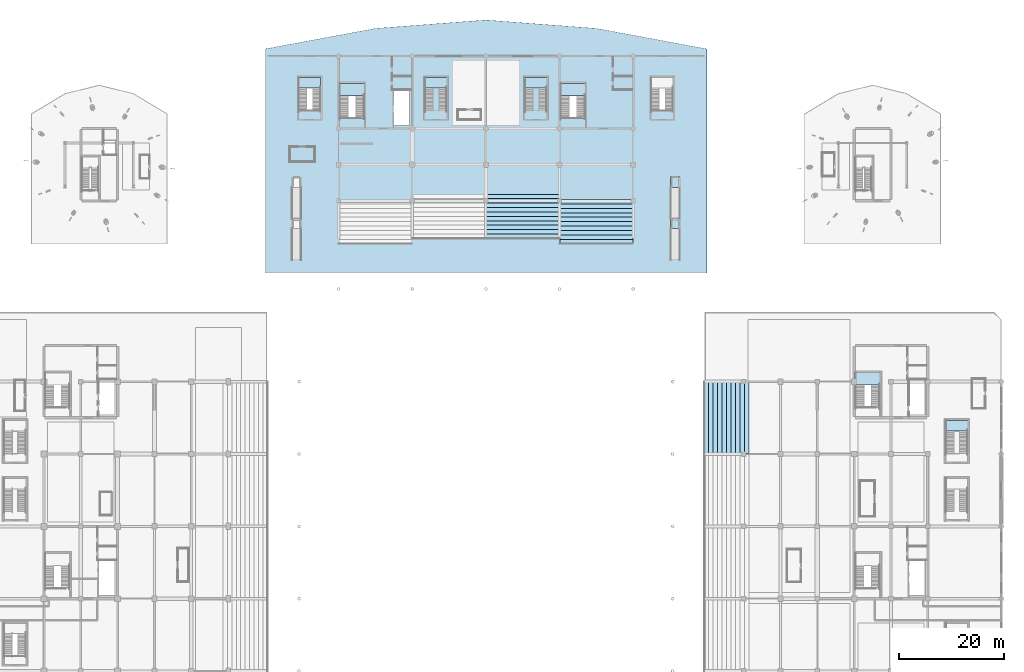
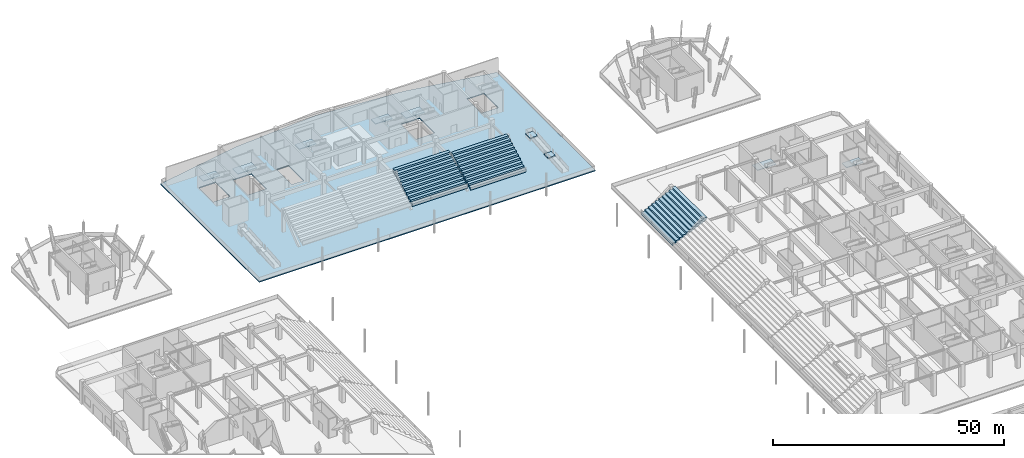
# One storey, part 30 of 73: 13 slabs, 8 elements without a shape of their own.
"""IFC4 building model written with IfcOpenShell, lengths in metres."""

from ifc_helpers import new_model, si_unit, direction, frame, origin, place, context, subcontext, project, spatial, polyline, outline, extrude, material, layer, layer_set, type_object, element, aggregate, save


model = new_model("IFC4")

# Units and contexts
model_context = context("Model", 3, precision=1e-05, world=origin(), true_north=direction((0.0, 1.0)))
body_context = subcontext(model_context, "Body", "Model", "MODEL_VIEW")
ifc_project = project(units=[si_unit("LENGTHUNIT", "METRE"), si_unit("AREAUNIT", "SQUARE_METRE"), si_unit("VOLUMEUNIT", "CUBIC_METRE"), si_unit("PLANEANGLEUNIT", "RADIAN"), si_unit("MASSUNIT", "GRAM", prefix="KILO")], contexts=[model_context])

# Site, building, storey
site_placement = place(None, origin())
site = spatial("IfcSite", under=ifc_project, at=site_placement, CompositionType="ELEMENT")
building_placement = place(site_placement, origin())
building = spatial("IfcBuilding", under=site, at=building_placement, Name="Linyun Crest Stadium", CompositionType="ELEMENT")
storey_placement = place(building_placement, origin())
storey = spatial("IfcBuildingStorey", under=building, at=storey_placement, Name="L01", CompositionType="ELEMENT", Elevation=0.0)

# Slab
ifc_material_1 = material(Name="Concrete C40", Category="concrete")
ifc_layer_1 = layer(ifc_material_1, 0.25)
ifc_layer_set_1 = layer_set([ifc_layer_1], Name="Concrete C40")
slab_type_1 = type_object("IfcSlabType", Name="FS04", PredefinedType="FLOOR", material=ifc_layer_set_1)
slab_1_placement = place(storey_placement, frame((0.0, 0.0, -0.25)))
element("IfcSlab", 1, at=slab_1_placement, inside=storey, type_object=slab_type_1, Name="Slab FS04 V3 L01 32", PredefinedType="FLOOR", context=body_context, shape_type="SweptSolid", body=[
    extrude(outline(polyline([(-42.0, 64.0), (42.0, 64.0), (42.0, 106.625), (21.0, 110.52490234375), (0.0, 112.125), (-21.0, 110.52490234375), (-42.0, 106.625), (-42.0, 64.0)]), holes=[polyline([(-27.824951171875, 93.52001953125), (-27.824951171875, 100.10009765625), (-23.10009765625, 100.10009765625), (-23.10009765625, 93.52001953125), (-27.824951171875, 93.52001953125)]), polyline([(-17.60009765625, 92.14990234375), (-17.60009765625, 98.75), (-14.60009765625, 98.75), (-14.60009765625, 92.14990234375), (-17.60009765625, 92.14990234375)]), polyline([(14.199951171875, 93.52001953125), (14.199951171875, 100.10009765625), (18.89990234375, 100.10009765625), (18.89990234375, 93.52001953125), (14.199951171875, 93.52001953125)]), polyline([(-35.60009765625, 94.949951171875), (-35.60009765625, 101.199951171875), (-31.39990234375, 101.199951171875), (-31.39990234375, 94.949951171875), (-35.60009765625, 94.949951171875)]), polyline([(31.39990234375, 94.949951171875), (31.39990234375, 101.199951171875), (35.60009765625, 101.199951171875), (35.60009765625, 94.949951171875), (31.39990234375, 94.949951171875)])]), origin(), (0.0, 0.0, 1.0), 0.25),
])

# Stair, slab
ifc_material_2 = material(Name="Concrete C40", Category="concrete")
stair_type = type_object("IfcStairType", Name="STA01", PredefinedType="HALF_TURN_STAIR", material=ifc_material_2)
stair_1_placement = place(storey_placement, origin())
stair_1 = element("IfcStair", 2, at=stair_1_placement, inside=storey, type_object=stair_type, Name="Evacuation stair STR-06-L01", PredefinedType="HALF_TURN_STAIR")
ifc_material_3 = material(Name="Concrete C40", Category="concrete")
ifc_layer_2 = layer(ifc_material_3, 0.179931640625)
ifc_layer_set_2 = layer_set([ifc_layer_2], Name="Concrete C40")
slab_type_2 = type_object("IfcSlabType", Name="LS01", PredefinedType="LANDING", material=ifc_layer_set_2)
slab_2_placement = place(storey_placement, frame((0.0, 0.0, 2.820068359375)))
slab_2 = element("IfcSlab", 3, at=slab_2_placement, type_object=slab_type_2, Name="STR-06-L01 half-landing", PredefinedType="LANDING", context=body_context, shape_type="SweptSolid", body=[
    extrude(outline(polyline([(70.22509765625, 42.739990234375), (74.89990234375, 42.739990234375), (74.89990234375, 45.10009765625), (70.22509765625, 45.10009765625), (70.22509765625, 42.739990234375)])), origin(), (0.0, 0.0, 1.0), 0.179931640625),
])
aggregate(stair_1, [slab_2])

stair_2_placement = place(storey_placement, origin())
stair_2 = element("IfcStair", 4, at=stair_2_placement, inside=storey, type_object=stair_type, Name="Evacuation stair STR-07-L01", PredefinedType="HALF_TURN_STAIR")
slab_3_placement = place(storey_placement, frame((0.0, 0.0, 2.820068359375)))
slab_3 = element("IfcSlab", 5, at=slab_3_placement, type_object=slab_type_2, Name="STR-07-L01 half-landing", PredefinedType="LANDING", context=body_context, shape_type="SweptSolid", body=[
    extrude(outline(polyline([(-27.824951171875, 97.739990234375), (-23.10009765625, 97.739990234375), (-23.10009765625, 100.10009765625), (-27.824951171875, 100.10009765625), (-27.824951171875, 97.739990234375)])), origin(), (0.0, 0.0, 1.0), 0.179931640625),
])
aggregate(stair_2, [slab_3])

stair_3_placement = place(storey_placement, origin())
stair_3 = element("IfcStair", 6, at=stair_3_placement, inside=storey, type_object=stair_type, Name="Evacuation stair STR-08-L01", PredefinedType="HALF_TURN_STAIR")
slab_4_placement = place(storey_placement, frame((0.0, 0.0, 2.820068359375)))
slab_4 = element("IfcSlab", 7, at=slab_4_placement, type_object=slab_type_2, Name="STR-08-L01 half-landing", PredefinedType="LANDING", context=body_context, shape_type="SweptSolid", body=[
    extrude(outline(polyline([(14.199951171875, 97.739990234375), (18.89990234375, 97.739990234375), (18.89990234375, 100.10009765625), (14.199951171875, 100.10009765625), (14.199951171875, 97.739990234375)])), origin(), (0.0, 0.0, 1.0), 0.179931640625),
])
aggregate(stair_3, [slab_4])

stair_4_placement = place(storey_placement, origin())
stair_4 = element("IfcStair", 8, at=stair_4_placement, inside=storey, type_object=stair_type, Name="Vomitory evacuation stair STR-22-L01", PredefinedType="HALF_TURN_STAIR")
slab_5_placement = place(storey_placement, frame((0.0, 0.0, 2.820068359375)))
slab_5 = element("IfcSlab", 9, at=slab_5_placement, type_object=slab_type_2, Name="STR-22-L01 half-landing", PredefinedType="LANDING", context=body_context, shape_type="SweptSolid", body=[
    extrude(outline(polyline([(87.39990234375, 33.969970703125), (91.60009765625, 33.969970703125), (91.60009765625, 36.0), (87.39990234375, 36.0), (87.39990234375, 33.969970703125)])), origin(), (0.0, 0.0, 1.0), 0.179931640625),
])
aggregate(stair_4, [slab_5])

stair_5_placement = place(storey_placement, origin())
stair_5 = element("IfcStair", 10, at=stair_5_placement, inside=storey, type_object=stair_type, Name="Vomitory evacuation stair STR-23-L01", PredefinedType="HALF_TURN_STAIR")
slab_6_placement = place(storey_placement, frame((0.0, 0.0, 2.820068359375)))
slab_6 = element("IfcSlab", 11, at=slab_6_placement, type_object=slab_type_2, Name="STR-23-L01 half-landing", PredefinedType="LANDING", context=body_context, shape_type="SweptSolid", body=[
    extrude(outline(polyline([(-35.60009765625, 99.169921875), (-31.39990234375, 99.169921875), (-31.39990234375, 101.199951171875), (-35.60009765625, 101.199951171875), (-35.60009765625, 99.169921875)])), origin(), (0.0, 0.0, 1.0), 0.179931640625),
])
aggregate(stair_5, [slab_6])

stair_6_placement = place(storey_placement, origin())
stair_6 = element("IfcStair", 12, at=stair_6_placement, inside=storey, type_object=stair_type, Name="Vomitory evacuation stair STR-24-L01", PredefinedType="HALF_TURN_STAIR")
slab_7_placement = place(storey_placement, frame((0.0, 0.0, 2.820068359375)))
slab_7 = element("IfcSlab", 13, at=slab_7_placement, type_object=slab_type_2, Name="STR-24-L01 half-landing", PredefinedType="LANDING", context=body_context, shape_type="SweptSolid", body=[
    extrude(outline(polyline([(-11.60009765625, 99.169921875), (-7.39990234375, 99.169921875), (-7.39990234375, 101.199951171875), (-11.60009765625, 101.199951171875), (-11.60009765625, 99.169921875)])), origin(), (0.0, 0.0, 1.0), 0.179931640625),
])
aggregate(stair_6, [slab_7])

stair_7_placement = place(storey_placement, origin())
stair_7 = element("IfcStair", 14, at=stair_7_placement, inside=storey, type_object=stair_type, Name="Vomitory evacuation stair STR-25-L01", PredefinedType="HALF_TURN_STAIR")
slab_8_placement = place(storey_placement, frame((0.0, 0.0, 2.820068359375)))
slab_8 = element("IfcSlab", 15, at=slab_8_placement, type_object=slab_type_2, Name="STR-25-L01 half-landing", PredefinedType="LANDING", context=body_context, shape_type="SweptSolid", body=[
    extrude(outline(polyline([(7.39990234375, 99.169921875), (11.60009765625, 99.169921875), (11.60009765625, 101.199951171875), (7.39990234375, 101.199951171875), (7.39990234375, 99.169921875)])), origin(), (0.0, 0.0, 1.0), 0.179931640625),
])
aggregate(stair_7, [slab_8])

# Ramp, slabs
ifc_material_4 = material(Name="Concrete C40", Category="concrete")
ramp_type = type_object("IfcRampType", Name="RMP01", PredefinedType="HALF_TURN_RAMP", material=ifc_material_4)
ramp_placement = place(storey_placement, origin())
ramp = element("IfcRamp", 16, at=ramp_placement, inside=storey, type_object=ramp_type, Name="Accessible pedestrian ramp RMP-08", PredefinedType="HALF_TURN_RAMP")
ifc_material_5 = material(Name="Concrete C40", Category="concrete")
ifc_layer_3 = layer(ifc_material_5, 0.199951171875)
ifc_layer_set_3 = layer_set([ifc_layer_3], Name="Concrete C40")
slab_type_3 = type_object("IfcSlabType", Name="LS02", PredefinedType="LANDING", material=ifc_layer_set_3)
slab_9_placement = place(storey_placement, frame((0.0, 0.0, 0.300048828125)))
slab_9 = element("IfcSlab", 17, at=slab_9_placement, type_object=slab_type_3, Name="RMP-08 mid-landing", PredefinedType="LANDING", context=body_context, shape_type="SweptSolid", body=[
    extrude(outline(polyline([(35.10009765625, 72.5), (36.89990234375, 72.5), (36.89990234375, 74.300048828125), (35.10009765625, 74.300048828125), (35.10009765625, 72.5)])), origin(), (0.0, 0.0, 1.0), 0.199951171875),
])
slab_10_placement = place(storey_placement, frame((0.0, 0.0, 0.800048828125)))
slab_10 = element("IfcSlab", 18, at=slab_10_placement, type_object=slab_type_3, Name="RMP-08 top-landing", PredefinedType="LANDING", context=body_context, shape_type="SweptSolid", body=[
    extrude(outline(polyline([(35.10009765625, 80.300048828125), (36.89990234375, 80.300048828125), (36.89990234375, 82.300048828125), (35.10009765625, 82.300048828125), (35.10009765625, 80.300048828125)])), origin(), (0.0, 0.0, 1.0), 0.199951171875),
])
aggregate(ramp, [slab_9, slab_10])

# Slabs
ifc_material_6 = material(Name="Precast concrete C50", Category="concrete")
ifc_layer_4 = layer(ifc_material_6, 0.179931640625)
ifc_layer_set_4 = layer_set([ifc_layer_4], Name="Precast concrete C50")
slab_type_4 = type_object("IfcSlabType", Name="ST01", PredefinedType="USERDEFINED", material=ifc_layer_set_4)
slab_11_placement = place(storey_placement, frame((41.5, 29.705078125, 1.199951171875), z_axis=(0.0, 0.0, 1.0), x_axis=(1.0, 0.0, 0.0)))
element("IfcSlab", 19, at=slab_11_placement, inside=storey, type_object=slab_type_4, Name="Precast seating tier ST01 V2 53", ObjectType="SEATING TIER", PredefinedType="USERDEFINED", context=body_context, shape_type="SweptSolid", body=[
    extrude(outline(polyline([(0.0, 0.0), (0.0, -0.43994140625), (0.85009765625, -0.43994140625), (0.85009765625, -0.8798828125), (1.699951171875, -0.8798828125), (1.699951171875, -1.320068359375), (2.550048828125, -1.320068359375), (2.550048828125, -1.760009765625), (3.39990234375, -1.760009765625), (3.39990234375, -2.199951171875), (4.25, -2.199951171875), (4.25, -2.639892578125), (5.10009765625, -2.639892578125), (5.10009765625, -3.080078125), (5.949951171875, -3.080078125), (5.949951171875, -3.52001953125), (6.800048828125, -3.52001953125), (6.800048828125, -3.9599609375), (7.64990234375, -3.9599609375), (7.64990234375, -4.39990234375), (8.5, -4.39990234375), (8.5, -3.780029296875), (0.0, 0.179931640625), (0.0, 0.0)])), frame((0.0, 0.0, 0.0), z_axis=(0.0, 1.0, 0.0), x_axis=(1.0, 0.0, 0.0)), (0.0, 0.0, 1.0), 13.58984375),
])
ifc_material_7 = material(Name="Precast concrete C50", Category="concrete")
ifc_layer_5 = layer(ifc_material_7, 0.18994140625)
ifc_layer_set_5 = layer_set([ifc_layer_5], Name="Precast concrete C50")
slab_type_5 = type_object("IfcSlabType", Name="ST03", PredefinedType="USERDEFINED", material=ifc_layer_set_5)
for number, where, z_axis, x_axis, name in (
    (20, (0.080078125, 70.60009765625, 1.25), (0.0, 0.0, 1.0), (0.0, 1.0, 0.0), "Precast seating tier ST03 V3 71"),
    (21, (14.080078125, 69.60009765625, 1.25), (0.0, 0.0, 1.0), (0.0, 1.0, 0.0), "Precast seating tier ST03 V3 78"),
):
    element("IfcSlab", number, at=place(storey_placement, frame(where, z_axis=z_axis, x_axis=x_axis)), inside=storey, type_object=slab_type_5, Name=name, ObjectType="SEATING TIER", PredefinedType="USERDEFINED", context=body_context, shape_type="SweptSolid", body=[
        extrude(outline(polyline([(0.0, 0.0), (0.0, 0.47998046875), (0.840087890625, 0.47998046875), (0.840087890625, 0.9599609375), (1.679931640625, 0.9599609375), (1.679931640625, 1.43994140625), (2.52001953125, 1.43994140625), (2.52001953125, 1.919921875), (3.360107421875, 1.919921875), (3.360107421875, 2.39990234375), (4.199951171875, 2.39990234375), (4.199951171875, 2.8798828125), (5.0400390625, 2.8798828125), (5.0400390625, 3.360107421875), (5.8798828125, 3.360107421875), (5.8798828125, 3.840087890625), (6.719970703125, 3.840087890625), (6.719970703125, 4.320068359375), (7.56005859375, 4.320068359375), (7.56005859375, 4.800048828125), (8.39990234375, 4.800048828125), (8.39990234375, 4.1298828125), (0.0, -0.18994140625), (0.0, 0.0)])), frame((0.0, 0.0, 0.0), z_axis=(0.0, -1.0, 0.0), x_axis=(1.0, 0.0, 0.0)), (0.0, 0.0, 1.0), 13.83984375),
    ])

save(model, "model.ifc")
